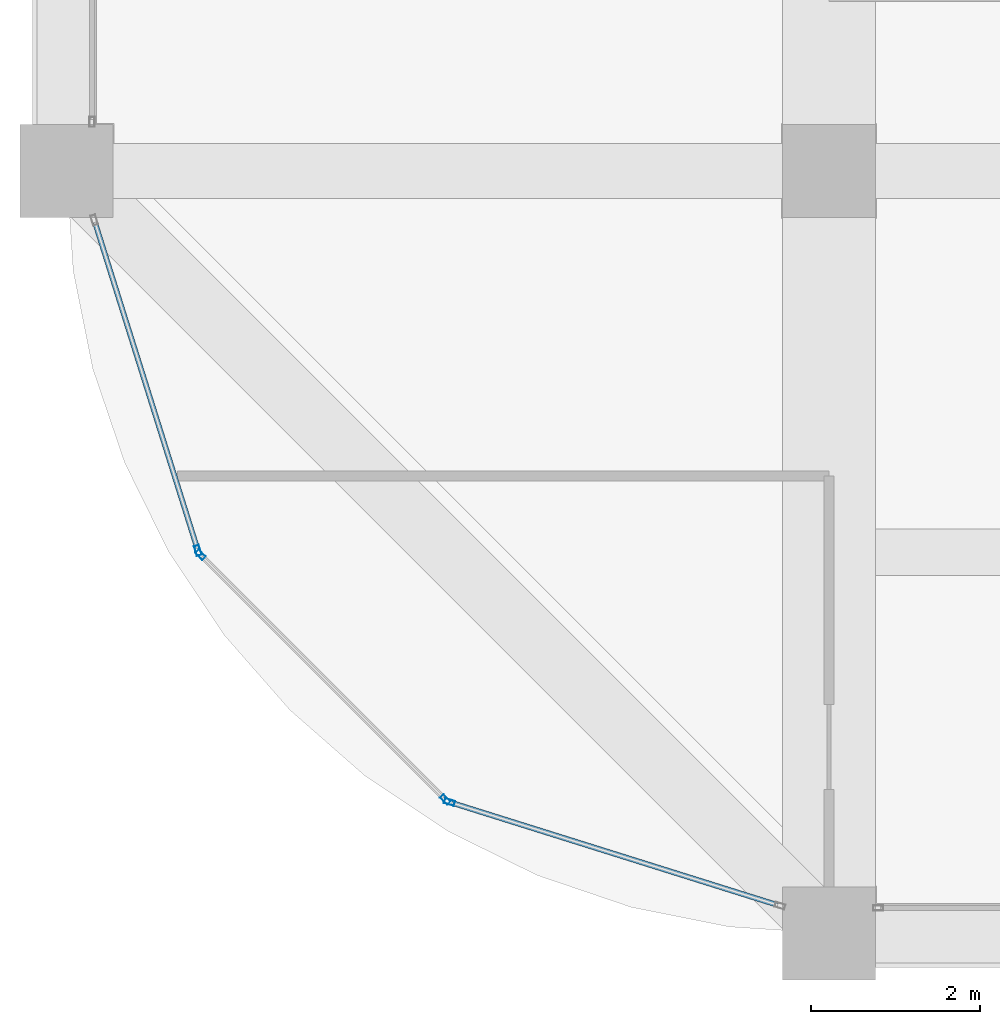
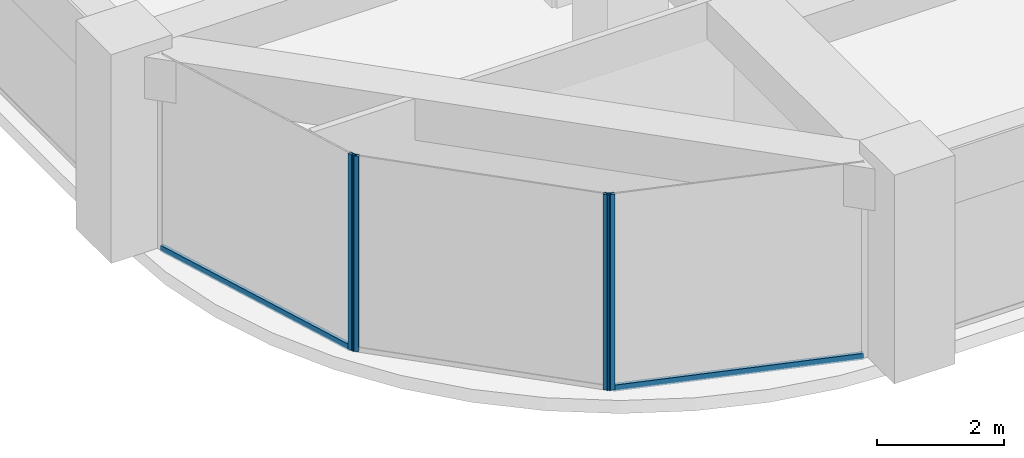
# One storey, part 2 of 44: 6 members, 3 elements without a shape of their own.
"""IFC4 building model written with IfcOpenShell, lengths in metres."""

from ifc_helpers import new_model, si_unit, direction, frame, origin, origin_2d, place, context, subcontext, project, spatial, hollow_rectangle, extrude, material, material_profile, profile_set, type_object, element, aggregate, save


model = new_model("IFC4")

# Units and contexts
model_context = context("Model", 3, precision=1e-05, world=origin(), true_north=direction((0.0, 1.0)))
body_context = subcontext(model_context, "Body", "Model", "MODEL_VIEW")
ifc_project = project(units=[si_unit("LENGTHUNIT", "METRE"), si_unit("AREAUNIT", "SQUARE_METRE"), si_unit("VOLUMEUNIT", "CUBIC_METRE"), si_unit("PLANEANGLEUNIT", "RADIAN"), si_unit("MASSUNIT", "GRAM", prefix="KILO")], contexts=[model_context])

# Site, building, storey
site_placement = place(None, origin())
site = spatial("IfcSite", under=ifc_project, at=site_placement, CompositionType="ELEMENT")
building_placement = place(site_placement, origin())
building = spatial("IfcBuilding", under=site, at=building_placement, Name="Zorevar Civic Tower", CompositionType="ELEMENT")
storey_placement = place(building_placement, frame((0.0, 0.0, 251.39990234375)))
storey = spatial("IfcBuildingStorey", under=building, at=storey_placement, Name="L61", CompositionType="ELEMENT", Elevation=251.39990234375)

# Curtain wall, member
ifc_material_1 = material(Name="Dark grey solar-control glass in black aluminium frame", Category="aluminium")
curtain_wall_type = type_object("IfcCurtainWallType", Name="Curtain wall CW5 top zone", PredefinedType="NOTDEFINED", material=ifc_material_1)
curtain_wall_1_placement = place(storey_placement, origin())
curtain_wall_1 = element("IfcCurtainWall", 1, at=curtain_wall_1_placement, inside=storey, type_object=curtain_wall_type, Name="CW5 L61", PredefinedType="NOTDEFINED")
ifc_material_2 = material(Name="Aluminium, black anodised", Category="aluminium")
ifc_material_profile_1 = material_profile(ifc_material_2, hollow_rectangle(XDim=0.06005859375, YDim=0.1201171875, WallThickness=0.0029296875, at=origin_2d()), Name="AL 120x60x3")
ifc_profile_set_1 = profile_set([ifc_material_profile_1], Name="Aluminium, black anodised")
member_type_1 = type_object("IfcMemberType", Name="CW5 mullion AL 120x60x3", PredefinedType="MULLION", material=ifc_profile_set_1)
member_1_placement = place(storey_placement, frame((10.550048828125, 4.520751953125, 0.0), z_axis=(0.0, 0.0, 1.0), x_axis=(0.954153437674, 0.299317920238, 0.0)))
member_1 = element("IfcMember", 2, at=member_1_placement, type_object=member_type_1, Name="CW5 mullion 2", PredefinedType="MULLION", context=body_context, shape_type="SweptSolid", body=[
    extrude(hollow_rectangle(XDim=0.06005859375, YDim=0.1201171875, WallThickness=0.0029296875, at=origin_2d()), origin(), (0.0, 0.0, 1.0), 3.75),
])

# Curtain wall, members
curtain_wall_2_placement = place(storey_placement, origin())
curtain_wall_2 = element("IfcCurtainWall", 3, at=curtain_wall_2_placement, inside=storey, type_object=curtain_wall_type, Name="CW5 L61", PredefinedType="NOTDEFINED")
member_2_placement = place(storey_placement, frame((10.580322265625, 4.470947265625, 0.0), z_axis=(0.0, 0.0, 1.0), x_axis=(0.707106781187, 0.707106781187, 0.0)))
member_2 = element("IfcMember", 4, at=member_2_placement, type_object=member_type_1, Name="CW5 mullion 1", PredefinedType="MULLION", context=body_context, shape_type="SweptSolid", body=[
    extrude(hollow_rectangle(XDim=0.06005859375, YDim=0.1201171875, WallThickness=0.0029296875, at=origin_2d()), origin(), (0.0, 0.0, 1.0), 3.75),
])
member_3_placement = place(storey_placement, frame((13.470947265625, 1.580322265625, 0.0), z_axis=(0.0, 0.0, 1.0), x_axis=(0.707106781187, 0.707106781187, 0.0)))
member_3 = element("IfcMember", 5, at=member_3_placement, type_object=member_type_1, Name="CW5 mullion 2", PredefinedType="MULLION", context=body_context, shape_type="SweptSolid", body=[
    extrude(hollow_rectangle(XDim=0.06005859375, YDim=0.1201171875, WallThickness=0.0029296875, at=origin_2d()), origin(), (0.0, 0.0, 1.0), 3.75),
])
aggregate(curtain_wall_2, [member_2, member_3])

# Curtain wall, member
curtain_wall_3_placement = place(storey_placement, origin())
curtain_wall_3 = element("IfcCurtainWall", 6, at=curtain_wall_3_placement, inside=storey, type_object=curtain_wall_type, Name="CW5 L61", PredefinedType="NOTDEFINED")
member_4_placement = place(storey_placement, frame((13.520751953125, 1.550048828125, 0.0), z_axis=(0.0, 0.0, 1.0), x_axis=(0.299317920238, 0.954153437674, 0.0)))
member_4 = element("IfcMember", 7, at=member_4_placement, type_object=member_type_1, Name="CW5 mullion 1", PredefinedType="MULLION", context=body_context, shape_type="SweptSolid", body=[
    extrude(hollow_rectangle(XDim=0.06005859375, YDim=0.1201171875, WallThickness=0.0029296875, at=origin_2d()), origin(), (0.0, 0.0, 1.0), 3.75),
])

# Member
ifc_material_3 = material(Name="Aluminium, black anodised", Category="aluminium")
ifc_material_profile_2 = material_profile(ifc_material_3, hollow_rectangle(XDim=0.06005859375, YDim=0.1201171875, WallThickness=0.0029296875, at=origin_2d()), Name="AL 120x60x3")
ifc_profile_set_2 = profile_set([ifc_material_profile_2], Name="Aluminium, black anodised")
member_type_2 = type_object("IfcMemberType", Name="CW5 transom AL 120x60x3", PredefinedType="USERDEFINED", material=ifc_profile_set_2)
member_5_placement = place(storey_placement, frame((9.33544921875, 8.392822265625, 0.030029296875), z_axis=(0.299285978047, -0.954163457351, 0.0), x_axis=(0.954163457351, 0.299285978047, 0.0)))
member_5 = element("IfcMember", 8, at=member_5_placement, type_object=member_type_2, Name="CW5 sill transom", ObjectType="TRANSOM", PredefinedType="USERDEFINED", context=body_context, shape_type="SweptSolid", body=[
    extrude(hollow_rectangle(XDim=0.06005859375, YDim=0.1201171875, WallThickness=0.0029296875, at=origin_2d()), origin(), (0.0, 0.0, 1.0), 4.028076171875),
])

aggregate(curtain_wall_1, [member_1, member_5])

member_6_placement = place(storey_placement, frame((13.54931640625, 1.541015625, 0.030029296875), z_axis=(0.954163457351, -0.299285978047, 0.0), x_axis=(0.299285978047, 0.954163457351, 0.0)))
member_6 = element("IfcMember", 9, at=member_6_placement, type_object=member_type_2, Name="CW5 sill transom", ObjectType="TRANSOM", PredefinedType="USERDEFINED", context=body_context, shape_type="SweptSolid", body=[
    extrude(hollow_rectangle(XDim=0.06005859375, YDim=0.1201171875, WallThickness=0.0029296875, at=origin_2d()), origin(), (0.0, 0.0, 1.0), 4.028076171875),
])

aggregate(curtain_wall_3, [member_4, member_6])

save(model, "model.ifc")
